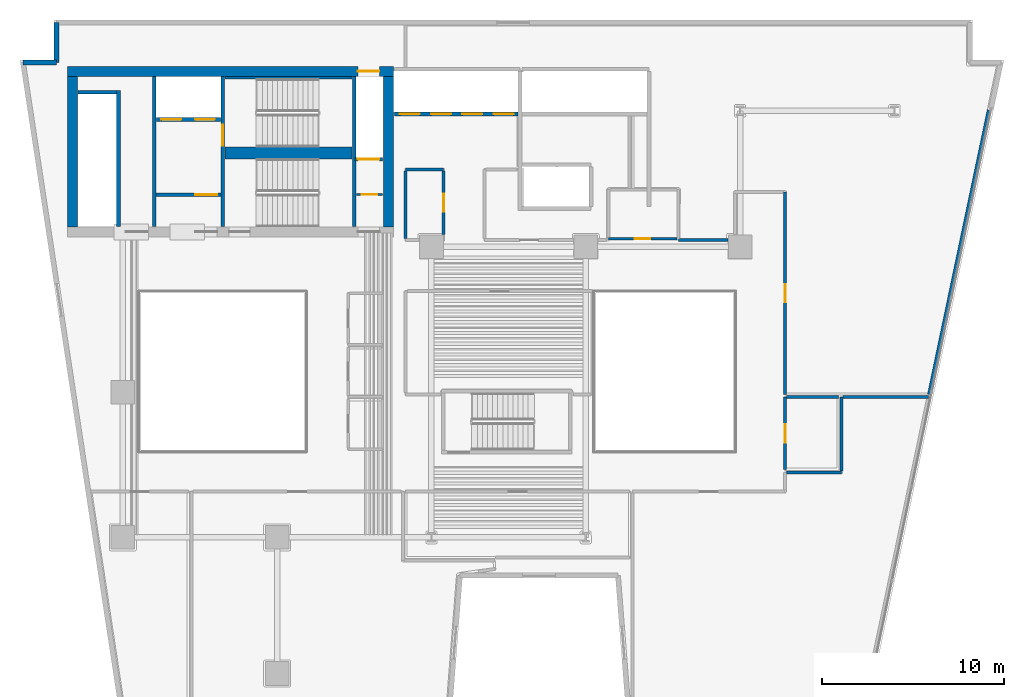
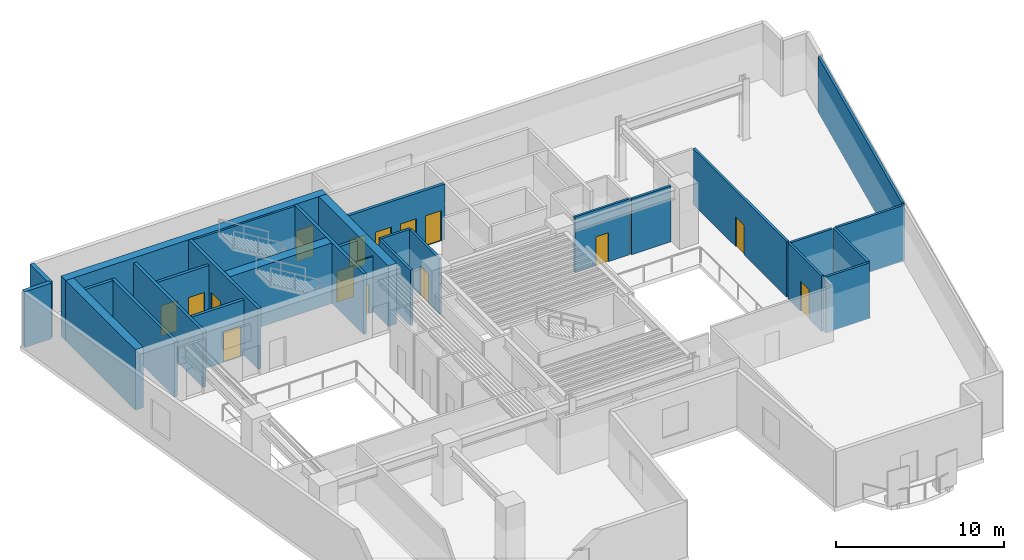
# One storey, part 5 of 11: 29 walls, 15 doors, 15 openings.
"""IFC4 building model written with IfcOpenShell, lengths in metres."""

from ifc_helpers import new_model, si_unit, direction, frame, frame_2d, origin, place, context, subcontext, project, spatial, rectangle, extrude, material, layer, layer_set, type_object, element, fill, save


model = new_model("IFC4")

# Units and contexts
model_context = context("Model", 3, precision=1e-05, world=origin(), true_north=direction((0.0, 1.0)))
body_context = subcontext(model_context, "Body", "Model", "MODEL_VIEW")
ifc_project = project(units=[si_unit("LENGTHUNIT", "METRE"), si_unit("AREAUNIT", "SQUARE_METRE"), si_unit("VOLUMEUNIT", "CUBIC_METRE"), si_unit("PLANEANGLEUNIT", "RADIAN"), si_unit("MASSUNIT", "GRAM", prefix="KILO")], contexts=[model_context])

# Site, building, storey
site_placement = place(None, origin())
site = spatial("IfcSite", under=ifc_project, at=site_placement, CompositionType="ELEMENT")
building_placement = place(site_placement, origin())
building = spatial("IfcBuilding", under=site, at=building_placement, Name="Caeloran Harvest Quay", CompositionType="ELEMENT")
storey_placement = place(building_placement, frame((0.0, 0.0, 101.800048828125)))
storey = spatial("IfcBuildingStorey", under=building, at=storey_placement, Name="L23", CompositionType="ELEMENT", Elevation=101.800048828125)

# Walls
ifc_material_1 = material(Name="Precast concrete C50/60", Category="concrete")
ifc_layer_1 = layer(ifc_material_1, 0.280029296875, Name="Precast concrete C50/60")
ifc_layer_set_1 = layer_set([ifc_layer_1], Name="Precast concrete C50/60")
wall_type_1 = type_object("IfcWallType", Name="ENV-WALL-EW-280", PredefinedType="STANDARD", material=ifc_layer_set_1)
wall_1_placement = place(storey_placement, frame((2.99755859375, 41.159912109375, 0.0), z_axis=(0.0, 0.0, 1.0), x_axis=(1.0, 0.0, 0.0)))
element("IfcWall", 1, at=wall_1_placement, inside=storey, type_object=wall_type_1, Name="L23 Exterior Precast Concrete Facade Wall 4", PredefinedType="STANDARD", context=body_context, shape_type="SweptSolid", body=[
    extrude(rectangle(XDim=1.842529296875, YDim=0.280029296875, at=frame_2d((0.92138671875, 0.0))), origin(), (0.0, 0.0, 1.0), 4.050048828125),
])
wall_2_placement = place(storey_placement, frame((4.840087890625, 41.159912109375, 0.0), z_axis=(0.0, 0.0, 1.0), x_axis=(0.0, 1.0, 0.0)))
element("IfcWall", 2, at=wall_2_placement, inside=storey, type_object=wall_type_1, Name="L23 Exterior Precast Concrete Facade Wall 5", PredefinedType="STANDARD", context=body_context, shape_type="SweptSolid", body=[
    extrude(rectangle(XDim=2.2001953125, YDim=0.280029296875, at=frame_2d((1.10009765625, 0.0))), origin(), (0.0, 0.0, 1.0), 4.050048828125),
])

# Wall, opening, door
ifc_material_2 = material(Name="Fire-Resisting Gypsum Core Riser Partition", Category="gypsum")
ifc_layer_2 = layer(ifc_material_2, 0.10009765625, Name="Fire-Resisting Gypsum Core Riser Partition")
ifc_layer_set_2 = layer_set([ifc_layer_2], Name="Fire-Resisting Gypsum Core Riser Partition")
wall_type_2 = type_object("IfcWallType", Name="INT-WALL-PW-100", PredefinedType="PARTITIONING", material=ifc_layer_set_2)
wall_3_placement = place(storey_placement, frame((21.3798828125, 33.889892578125, 0.0), z_axis=(0.0, 0.0, 1.0), x_axis=(1.0, 0.0, 0.0)))
wall_3 = element("IfcWall", 3, at=wall_3_placement, inside=storey, type_object=wall_type_2, Name="L23 Cleaner Store Partition Wall", PredefinedType="PARTITIONING", context=body_context, shape_type="SweptSolid", body=[
    extrude(rectangle(XDim=1.420166015625, YDim=0.10009765625, at=frame_2d((0.7099609375, 0.0))), origin(), (0.0, 0.0, 1.0), 4.050048828125),
])
opening_1_placement = place(wall_3_placement, frame((0.280029296875, 0.0, 0.0)))
opening_1 = element("IfcOpeningElement", 4, at=opening_1_placement, cuts=wall_3, Name="Opening SV-01", PredefinedType="OPENING", context=body_context, shape_type="SweptSolid", body=[
    extrude(rectangle(XDim=0.85009765625, YDim=2.10009765625, at=frame_2d((0.425048828125, 1.050048828125))), frame((0.0, 0.06005859375, 0.0), z_axis=(0.0, -1.0, 0.0), x_axis=(1.0, 0.0, 0.0)), (0.0, 0.0, 1.0), 0.1201171875),
])
ifc_material_3 = material(Name="Galvanized Painted Steel", Category="steel")
door_type_1 = type_object("IfcDoorType", Name="INTDOOR-SV-01", OperationType="NOTDEFINED", PredefinedType="DOOR", material=ifc_material_3)
door_1_placement = place(opening_1_placement, origin())
door_1 = element("IfcDoor", 5, at=door_1_placement, inside=storey, type_object=door_type_1, Name="L23 Cleaner Supply Store Access Door", OperationType="SINGLE_SWING_RIGHT", OverallHeight=2.10009765625, OverallWidth=0.85009765625, PredefinedType="DOOR", context=body_context, shape_type="SweptSolid", body=[
    extrude(rectangle(XDim=0.85009765625, YDim=2.10009765625, at=frame_2d((0.425048828125, 1.050048828125))), frame((0.0, 0.02490234375, 0.0), z_axis=(0.0, -1.0, 0.0), x_axis=(1.0, 0.0, 0.0)), (0.0, 0.0, 1.0), 0.050048828125),
])
fill(opening_1, door_1)

ifc_material_4 = material(Name="Autoclaved Aerated Concrete Blockwork and Plasterboard", Category="masonry")
ifc_layer_3 = layer(ifc_material_4, 0.14990234375, Name="Autoclaved Aerated Concrete Blockwork and Plasterboard")
ifc_layer_set_3 = layer_set([ifc_layer_3], Name="Autoclaved Aerated Concrete Blockwork and Plasterboard")
wall_type_3 = type_object("IfcWallType", Name="INT-WALL-PW-150", PredefinedType="PARTITIONING", material=ifc_layer_set_3)
wall_4_placement = place(storey_placement, frame((39.02001953125, 31.449951171875, 0.0), z_axis=(0.0, 0.0, 1.0), x_axis=(-1.0, 0.0, 0.0)))
wall_4 = element("IfcWall", 6, at=wall_4_placement, inside=storey, type_object=wall_type_3, Name="L23 Core Auxiliary Equipment Room Partition Wall", PredefinedType="PARTITIONING", context=body_context, shape_type="SweptSolid", body=[
    extrude(rectangle(XDim=3.77001953125, YDim=0.14990234375, at=frame_2d((1.885009765625, 0.0))), origin(), (0.0, 0.0, 1.0), 4.050048828125),
])
opening_2_placement = place(wall_4_placement, frame((1.4599609375, 0.0, 0.0)))
opening_2 = element("IfcOpeningElement", 7, at=opening_2_placement, cuts=wall_4, Name="Opening SV-01", PredefinedType="OPENING", context=body_context, shape_type="SweptSolid", body=[
    extrude(rectangle(XDim=0.85009765625, YDim=2.10009765625, at=frame_2d((0.425048828125, 1.050048828125))), frame((0.0, 0.0849609375, 0.0), z_axis=(0.0, -1.0, 0.0), x_axis=(1.0, 0.0, 0.0)), (0.0, 0.0, 1.0), 0.169921875),
])
door_2_placement = place(opening_2_placement, origin())
door_2 = element("IfcDoor", 8, at=door_2_placement, inside=storey, type_object=door_type_1, Name="L23 Core Auxiliary Equipment Room Access Door", OperationType="SINGLE_SWING_RIGHT", OverallHeight=2.10009765625, OverallWidth=0.85009765625, PredefinedType="DOOR", context=body_context, shape_type="SweptSolid", body=[
    extrude(rectangle(XDim=0.85009765625, YDim=2.10009765625, at=frame_2d((0.425048828125, 1.050048828125))), frame((0.0, 0.02490234375, 0.0), z_axis=(0.0, -1.0, 0.0), x_axis=(1.0, 0.0, 0.0)), (0.0, 0.0, 1.0), 0.050048828125),
])
fill(opening_2, door_2)

# Walls
ifc_material_5 = material(Name="Autoclaved Aerated Concrete Blockwork", Category="masonry")
ifc_layer_4 = layer(ifc_material_5, 0.1650390625, Name="Autoclaved Aerated Concrete Blockwork")
ifc_layer_set_4 = layer_set([ifc_layer_4], Name="Autoclaved Aerated Concrete Blockwork")
wall_type_4 = type_object("IfcWallType", Name="INT-WALL-PW-165", PredefinedType="PARTITIONING", material=ifc_layer_set_4)
wall_5_placement = place(storey_placement, frame((45.0673828125, 18.570068359375, 0.0), z_axis=(0.0, 0.0, 1.0), x_axis=(1.0, 0.0, 0.0)))
element("IfcWall", 9, at=wall_5_placement, inside=storey, type_object=wall_type_4, Name="Biophilic Architecture Atelier Partition Wall", PredefinedType="PARTITIONING", context=body_context, shape_type="SweptSolid", body=[
    extrude(rectangle(XDim=3.0126953125, YDim=0.1650390625, at=frame_2d((1.50634765625, 0.0))), origin(), (0.0, 0.0, 1.0), 4.050048828125),
])
wall_6_placement = place(storey_placement, frame((48.080078125, 18.657470703125, 0.0), z_axis=(0.0, 0.0, 1.0), x_axis=(0.0, 1.0, 0.0)))
element("IfcWall", 10, at=wall_6_placement, inside=storey, type_object=wall_type_4, Name="Biophilic Architecture Atelier Partition Wall", PredefinedType="PARTITIONING", context=body_context, shape_type="SweptSolid", body=[
    extrude(rectangle(XDim=4.0625, YDim=0.1650390625, at=frame_2d((2.03125, 0.0))), origin(), (0.0, 0.0, 1.0), 4.050048828125),
])
wall_7_placement = place(storey_placement, frame((48.16748046875, 22.719970703125, 0.0), z_axis=(0.0, 0.0, 1.0), x_axis=(1.0, 0.0, 0.0)))
element("IfcWall", 11, at=wall_7_placement, inside=storey, type_object=wall_type_4, Name="Biophilic Architecture Atelier Partition Wall", PredefinedType="PARTITIONING", context=body_context, shape_type="SweptSolid", body=[
    extrude(rectangle(XDim=4.716796875, YDim=0.1650390625, at=frame_2d((2.3583984375, 0.0))), origin(), (0.0, 0.0, 1.0), 4.050048828125),
])

# Wall, opening, door
wall_8_placement = place(storey_placement, frame((44.97998046875, 18.72998046875, 0.0), z_axis=(0.0, 0.0, 1.0), x_axis=(0.0, 1.0, 0.0)))
wall_8 = element("IfcWall", 12, at=wall_8_placement, inside=storey, type_object=wall_type_4, Name="Principal Partner Office Partition Wall", PredefinedType="PARTITIONING", context=body_context, shape_type="SweptSolid", body=[
    extrude(rectangle(XDim=3.989990234375, YDim=0.1650390625, at=frame_2d((1.9951171875, 0.0))), origin(), (0.0, 0.0, 1.0), 4.050048828125),
])
opening_3_placement = place(wall_8_placement, frame((1.4951171875, 0.0, 0.0)))
opening_3 = element("IfcOpeningElement", 13, at=opening_3_placement, cuts=wall_8, Name="Opening ID-01", PredefinedType="OPENING", context=body_context, shape_type="SweptSolid", body=[
    extrude(rectangle(XDim=1.0, YDim=2.14990234375, at=frame_2d((0.5, 1.074951171875))), frame((0.0, 0.092529296875, 0.0), z_axis=(0.0, -1.0, 0.0), x_axis=(1.0, 0.0, 0.0)), (0.0, 0.0, 1.0), 0.18505859375),
])
ifc_material_6 = material(Name="FSC Solid-Core Ash Timber and Acoustic Seal", Category="wood")
door_type_2 = type_object("IfcDoorType", Name="INTDOOR-ID-01", OperationType="NOTDEFINED", PredefinedType="DOOR", material=ifc_material_6)
door_3_placement = place(opening_3_placement, origin())
door_3 = element("IfcDoor", 14, at=door_3_placement, inside=storey, type_object=door_type_2, Name="Principal Partner Office Access Door", OperationType="SINGLE_SWING_RIGHT", OverallHeight=2.14990234375, OverallWidth=1.0, PredefinedType="DOOR", context=body_context, shape_type="SweptSolid", body=[
    extrude(rectangle(XDim=1.0, YDim=2.14990234375, at=frame_2d((0.5, 1.074951171875))), frame((0.0, 0.02490234375, 0.0), z_axis=(0.0, -1.0, 0.0), x_axis=(1.0, 0.0, 0.0)), (0.0, 0.0, 1.0), 0.050048828125),
])
fill(opening_3, door_3)

# Walls
wall_9_placement = place(storey_placement, frame((45.0673828125, 22.719970703125, 0.0), z_axis=(0.0, 0.0, 1.0), x_axis=(1.0, 0.0, 0.0)))
element("IfcWall", 15, at=wall_9_placement, inside=storey, type_object=wall_type_4, Name="Principal Partner Office Partition Wall", PredefinedType="PARTITIONING", context=body_context, shape_type="SweptSolid", body=[
    extrude(rectangle(XDim=2.8525390625, YDim=0.1650390625, at=frame_2d((1.42626953125, 0.0))), origin(), (0.0, 0.0, 1.0), 4.050048828125),
])
wall_10_placement = place(storey_placement, frame((24.080078125, 35.27001953125, 0.0), z_axis=(0.0, 0.0, 1.0), x_axis=(1.0, 0.0, 0.0)))
element("IfcWall", 16, at=wall_10_placement, inside=storey, type_object=wall_type_4, Name="Partner Boardroom Partition Wall", PredefinedType="PARTITIONING", context=body_context, shape_type="SweptSolid", body=[
    extrude(rectangle(XDim=2.08984375, YDim=0.1650390625, at=frame_2d((1.044921875, 0.0))), origin(), (0.0, 0.0, 1.0), 4.050048828125),
])

# Wall, opening, door
wall_11_placement = place(storey_placement, frame((26.169921875, 35.1826171875, 0.0), z_axis=(0.0, 0.0, 1.0), x_axis=(0.0, -1.0, 0.0)))
wall_11 = element("IfcWall", 17, at=wall_11_placement, inside=storey, type_object=wall_type_4, Name="Partner Boardroom Partition Wall", PredefinedType="PARTITIONING", context=body_context, shape_type="SweptSolid", body=[
    extrude(rectangle(XDim=3.507568359375, YDim=0.1650390625, at=frame_2d((1.75390625, 0.0))), origin(), (0.0, 0.0, 1.0), 4.050048828125),
])
opening_4_placement = place(wall_11_placement, frame((1.253662109375, 0.0, 0.0)))
opening_4 = element("IfcOpeningElement", 18, at=opening_4_placement, cuts=wall_11, Name="Opening ID-01", PredefinedType="OPENING", context=body_context, shape_type="SweptSolid", body=[
    extrude(rectangle(XDim=1.0, YDim=2.14990234375, at=frame_2d((0.5, 1.074951171875))), frame((0.0, 0.092529296875, 0.0), z_axis=(0.0, -1.0, 0.0), x_axis=(1.0, 0.0, 0.0)), (0.0, 0.0, 1.0), 0.18505859375),
])
door_4_placement = place(opening_4_placement, origin())
door_4 = element("IfcDoor", 19, at=door_4_placement, inside=storey, type_object=door_type_2, Name="Partner Boardroom Access Door", OperationType="SINGLE_SWING_RIGHT", OverallHeight=2.14990234375, OverallWidth=1.0, PredefinedType="DOOR", context=body_context, shape_type="SweptSolid", body=[
    extrude(rectangle(XDim=1.0, YDim=2.14990234375, at=frame_2d((0.5, 1.074951171875))), frame((0.0, 0.02490234375, 0.0), z_axis=(0.0, -1.0, 0.0), x_axis=(1.0, 0.0, 0.0)), (0.0, 0.0, 1.0), 0.050048828125),
])
fill(opening_4, door_4)

# Walls
wall_12_placement = place(storey_placement, frame((24.080078125, 31.467529296875, 0.0), z_axis=(0.0, 0.0, 1.0), x_axis=(0.0, 1.0, 0.0)))
element("IfcWall", 20, at=wall_12_placement, inside=storey, type_object=wall_type_4, Name="Partner Boardroom Partition Wall", PredefinedType="PARTITIONING", context=body_context, shape_type="SweptSolid", body=[
    extrude(rectangle(XDim=3.715087890625, YDim=0.1650390625, at=frame_2d((1.857421875, 0.0))), origin(), (0.0, 0.0, 1.0), 4.050048828125),
])
wall_13_placement = place(storey_placement, frame((56.1943359375, 38.547607421875, 0.0), z_axis=(0.0, 0.0, 1.0), x_axis=(-0.205579307071, -0.978640459262, 0.0)))
element("IfcWall", 21, at=wall_13_placement, inside=storey, type_object=wall_type_4, Name="Regional Food Policy Boardroom 9 Partition Wall", PredefinedType="PARTITIONING", context=body_context, shape_type="SweptSolid", body=[
    extrude(rectangle(XDim=16.009765625, YDim=0.1650390625, at=frame_2d((8.0048828125, 0.0))), origin(), (0.0, 0.0, 1.0), 4.050048828125),
])

# Wall, opening, door
wall_14_placement = place(storey_placement, frame((44.97998046875, 22.8798828125, 0.0), z_axis=(0.0, 0.0, 1.0), x_axis=(0.0, 1.0, 0.0)))
wall_14 = element("IfcWall", 22, at=wall_14_placement, inside=storey, type_object=wall_type_4, Name="Regional Food Policy Boardroom 9 Partition Wall", PredefinedType="PARTITIONING", context=body_context, shape_type="SweptSolid", body=[
    extrude(rectangle(XDim=11.150146484375, YDim=0.1650390625, at=frame_2d((5.5751953125, 0.0))), origin(), (0.0, 0.0, 1.0), 4.050048828125),
])
opening_5_placement = place(wall_14_placement, frame((5.074951171875, 0.0, 0.0)))
opening_5 = element("IfcOpeningElement", 23, at=opening_5_placement, cuts=wall_14, Name="Opening ID-01", PredefinedType="OPENING", context=body_context, shape_type="SweptSolid", body=[
    extrude(rectangle(XDim=1.0, YDim=2.14990234375, at=frame_2d((0.5, 1.074951171875))), frame((0.0, 0.092529296875, 0.0), z_axis=(0.0, -1.0, 0.0), x_axis=(1.0, 0.0, 0.0)), (0.0, 0.0, 1.0), 0.18505859375),
])
door_5_placement = place(opening_5_placement, origin())
door_5 = element("IfcDoor", 24, at=door_5_placement, inside=storey, type_object=door_type_2, Name="Regional Food Policy Boardroom 9 Access Door", OperationType="SINGLE_SWING_RIGHT", OverallHeight=2.14990234375, OverallWidth=1.0, PredefinedType="DOOR", context=body_context, shape_type="SweptSolid", body=[
    extrude(rectangle(XDim=1.0, YDim=2.14990234375, at=frame_2d((0.5, 1.074951171875))), frame((0.0, 0.02490234375, 0.0), z_axis=(0.0, -1.0, 0.0), x_axis=(1.0, 0.0, 0.0)), (0.0, 0.0, 1.0), 0.050048828125),
])
fill(opening_5, door_5)

# Walls
wall_15_placement = place(storey_placement, frame((41.824951171875, 31.3798828125, 0.0), z_axis=(0.0, 0.0, 1.0), x_axis=(-1.0, 0.0, 0.0)))
element("IfcWall", 25, at=wall_15_placement, inside=storey, type_object=wall_type_4, Name="Regional Food Policy Boardroom 9 Partition Wall", PredefinedType="PARTITIONING", context=body_context, shape_type="SweptSolid", body=[
    extrude(rectangle(XDim=2.71044921875, YDim=0.1650390625, at=frame_2d((1.355224609375, 0.0))), origin(), (0.0, 0.0, 1.0), 4.050048828125),
])
ifc_material_7 = material(Name="Concrete C50/60", Category="concrete")
ifc_layer_5 = layer(ifc_material_7, 0.199951171875, Name="Concrete C50/60")
ifc_layer_set_5 = layer_set([ifc_layer_5], Name="Concrete C50/60")
wall_type_5 = type_object("IfcWallType", Name="INT-WALL-SW-200", PredefinedType="PARTITIONING", material=ifc_layer_set_5)
wall_16_placement = place(storey_placement, frame((8.260009765625, 32.1201171875, 0.0), z_axis=(0.0, 0.0, 1.0), x_axis=(0.0, 1.0, 0.0)))
element("IfcWall", 26, at=wall_16_placement, inside=storey, type_object=wall_type_5, Name="L23 Bank 3 Lift Shaft Wall", PredefinedType="PARTITIONING", context=body_context, shape_type="SweptSolid", body=[
    extrude(rectangle(XDim=7.5, YDim=0.199951171875, at=frame_2d((3.75, 0.0))), origin(), (0.0, 0.0, 1.0), 4.050048828125),
])
wall_17_placement = place(storey_placement, frame((6.02001953125, 39.52001953125, 0.0), z_axis=(0.0, 0.0, 1.0), x_axis=(1.0, 0.0, 0.0)))
element("IfcWall", 27, at=wall_17_placement, inside=storey, type_object=wall_type_5, Name="L23 Bank 3 Lift Shaft North End Wall", PredefinedType="PARTITIONING", context=body_context, shape_type="SweptSolid", body=[
    extrude(rectangle(XDim=2.119873046875, YDim=0.199951171875, at=frame_2d((1.06005859375, 0.0))), origin(), (0.0, 0.0, 1.0), 4.050048828125),
])
wall_18_placement = place(storey_placement, frame((10.219970703125, 32.1201171875, 0.0), z_axis=(0.0, 0.0, 1.0), x_axis=(0.0, 1.0, 0.0)))
element("IfcWall", 28, at=wall_18_placement, inside=storey, type_object=wall_type_5, Name="L23 Core Lobby Compartment Wall", PredefinedType="PARTITIONING", context=body_context, shape_type="SweptSolid", body=[
    extrude(rectangle(XDim=8.259765625, YDim=0.199951171875, at=frame_2d((4.1298828125, 0.0))), origin(), (0.0, 0.0, 1.0), 4.050048828125),
])

# Wall, openings, doors
wall_19_placement = place(storey_placement, frame((10.340087890625, 38.02001953125, 0.0), z_axis=(0.0, 0.0, 1.0), x_axis=(1.0, 0.0, 0.0)))
wall_19 = element("IfcWall", 29, at=wall_19_placement, inside=storey, type_object=wall_type_5, Name="L23 Firefighting Lift Shaft Wall", PredefinedType="PARTITIONING", context=body_context, shape_type="SweptSolid", body=[
    extrude(rectangle(XDim=3.539794921875, YDim=0.199951171875, at=frame_2d((1.77001953125, 0.0))), origin(), (0.0, 0.0, 1.0), 4.050048828125),
])
opening_6_placement = place(wall_19_placement, frame((0.284912109375, 0.0, 0.0)))
opening_6 = element("IfcOpeningElement", 30, at=opening_6_placement, cuts=wall_19, Name="Opening LD-01", PredefinedType="OPENING", context=body_context, shape_type="SweptSolid", body=[
    extrude(rectangle(XDim=1.10009765625, YDim=2.199951171875, at=frame_2d((0.550048828125, 1.10009765625))), frame((0.0, 0.10986328125, 0.0), z_axis=(0.0, -1.0, 0.0), x_axis=(1.0, 0.0, 0.0)), (0.0, 0.0, 1.0), 0.219970703125),
])
opening_7_placement = place(wall_19_placement, frame((2.135009765625, 0.0, 0.0)))
opening_7 = element("IfcOpeningElement", 31, at=opening_7_placement, cuts=wall_19, Name="Opening LD-01", PredefinedType="OPENING", context=body_context, shape_type="SweptSolid", body=[
    extrude(rectangle(XDim=1.10009765625, YDim=2.199951171875, at=frame_2d((0.550048828125, 1.10009765625))), frame((0.0, 0.10986328125, 0.0), z_axis=(0.0, -1.0, 0.0), x_axis=(1.0, 0.0, 0.0)), (0.0, 0.0, 1.0), 0.219970703125),
])
ifc_material_8 = material(Name="Stainless Steel Grade 316", Category="steel")
door_type_3 = type_object("IfcDoorType", Name="INTDOOR-LD-01", OperationType="NOTDEFINED", PredefinedType="DOOR", material=ifc_material_8)
door_6_placement = place(opening_6_placement, origin())
door_6 = element("IfcDoor", 32, at=door_6_placement, inside=storey, type_object=door_type_3, Name="Lift FF-1 Sliding Landing Door (L23)", OperationType="DOUBLE_DOOR_SLIDING", OverallHeight=2.199951171875, OverallWidth=1.10009765625, PredefinedType="DOOR", context=body_context, shape_type="SweptSolid", body=[
    extrude(rectangle(XDim=1.10009765625, YDim=2.199951171875, at=frame_2d((0.550048828125, 1.10009765625))), frame((0.0, 0.02490234375, 0.0), z_axis=(0.0, -1.0, 0.0), x_axis=(1.0, 0.0, 0.0)), (0.0, 0.0, 1.0), 0.050048828125),
])
fill(opening_6, door_6)
door_7_placement = place(opening_7_placement, origin())
door_7 = element("IfcDoor", 33, at=door_7_placement, inside=storey, type_object=door_type_3, Name="Lift FF-2 Sliding Landing Door (L23)", OperationType="DOUBLE_DOOR_SLIDING", OverallHeight=2.199951171875, OverallWidth=1.10009765625, PredefinedType="DOOR", context=body_context, shape_type="SweptSolid", body=[
    extrude(rectangle(XDim=1.10009765625, YDim=2.199951171875, at=frame_2d((0.550048828125, 1.10009765625))), frame((0.0, 0.02490234375, 0.0), z_axis=(0.0, -1.0, 0.0), x_axis=(1.0, 0.0, 0.0)), (0.0, 0.0, 1.0), 0.050048828125),
])
fill(opening_7, door_7)

# Wall, opening, door
wall_20_placement = place(storey_placement, frame((10.340087890625, 33.8798828125, 0.0), z_axis=(0.0, 0.0, 1.0), x_axis=(1.0, 0.0, 0.0)))
wall_20 = element("IfcWall", 34, at=wall_20_placement, inside=storey, type_object=wall_type_5, Name="L23 Firefighting Lift Lobby Enclosure Wall", PredefinedType="PARTITIONING", context=body_context, shape_type="SweptSolid", body=[
    extrude(rectangle(XDim=3.559814453125, YDim=0.199951171875, at=frame_2d((1.77978515625, 0.0))), origin(), (0.0, 0.0, 1.0), 4.050048828125),
])
opening_8_placement = place(wall_20_placement, frame((2.14990234375, 0.0, 0.0)))
opening_8 = element("IfcOpeningElement", 35, at=opening_8_placement, cuts=wall_20, Name="Opening FD-01", PredefinedType="OPENING", context=body_context, shape_type="SweptSolid", body=[
    extrude(rectangle(XDim=1.199951171875, YDim=2.199951171875, at=frame_2d((0.60009765625, 1.10009765625))), frame((0.0, 0.10986328125, 0.0), z_axis=(0.0, -1.0, 0.0), x_axis=(1.0, 0.0, 0.0)), (0.0, 0.0, 1.0), 0.219970703125),
])
ifc_material_9 = material(Name="Steel", Category="steel")
door_type_4 = type_object("IfcDoorType", Name="INTDOOR-FD-01", OperationType="NOTDEFINED", PredefinedType="DOOR", material=ifc_material_9)
door_8_placement = place(opening_8_placement, origin())
door_8 = element("IfcDoor", 36, at=door_8_placement, inside=storey, type_object=door_type_4, Name="L23 Firefighting Lift Lobby Smoke-Seal Fire Door", OperationType="SINGLE_SWING_RIGHT", OverallHeight=2.199951171875, OverallWidth=1.199951171875, PredefinedType="DOOR", context=body_context, shape_type="SweptSolid", body=[
    extrude(rectangle(XDim=1.199951171875, YDim=2.199951171875, at=frame_2d((0.60009765625, 1.10009765625))), frame((0.0, 0.02490234375, 0.0), z_axis=(0.0, -1.0, 0.0), x_axis=(1.0, 0.0, 0.0)), (0.0, 0.0, 1.0), 0.050048828125),
])
fill(opening_8, door_8)

wall_21_placement = place(storey_placement, frame((21.300048828125, 35.820068359375, 0.0), z_axis=(0.0, 0.0, 1.0), x_axis=(1.0, 0.0, 0.0)))
wall_21 = element("IfcWall", 37, at=wall_21_placement, inside=storey, type_object=wall_type_5, Name="L23 Service Lift SV-2 Shaft Wall", PredefinedType="PARTITIONING", context=body_context, shape_type="SweptSolid", body=[
    extrude(rectangle(XDim=1.5, YDim=0.199951171875, at=frame_2d((0.75, 0.0))), origin(), (0.0, 0.0, 1.0), 4.050048828125),
])
opening_9_placement = place(wall_21_placement, frame((0.14501953125, 0.0, 0.0)))
opening_9 = element("IfcOpeningElement", 38, at=opening_9_placement, cuts=wall_21, Name="Opening LD-02", PredefinedType="OPENING", context=body_context, shape_type="SweptSolid", body=[
    extrude(rectangle(XDim=1.179931640625, YDim=2.25, at=frame_2d((0.58984375, 1.125))), frame((0.0, 0.10986328125, 0.0), z_axis=(0.0, -1.0, 0.0), x_axis=(1.0, 0.0, 0.0)), (0.0, 0.0, 1.0), 0.219970703125),
])
door_type_5 = type_object("IfcDoorType", Name="INTDOOR-LD-02", OperationType="NOTDEFINED", PredefinedType="DOOR", material=ifc_material_8)
door_9_placement = place(opening_9_placement, origin())
door_9 = element("IfcDoor", 39, at=door_9_placement, inside=storey, type_object=door_type_5, Name="Lift SV-2 Sliding Landing Door (L23)", OperationType="DOUBLE_DOOR_SLIDING", OverallHeight=2.25, OverallWidth=1.179931640625, PredefinedType="DOOR", context=body_context, shape_type="SweptSolid", body=[
    extrude(rectangle(XDim=1.179931640625, YDim=2.25, at=frame_2d((0.58984375, 1.125))), frame((0.0, 0.02490234375, 0.0), z_axis=(0.0, -1.0, 0.0), x_axis=(1.0, 0.0, 0.0)), (0.0, 0.0, 1.0), 0.050048828125),
])
fill(opening_9, door_9)

# Wall, openings, doors
wall_22_placement = place(storey_placement, frame((23.469970703125, 38.320068359375, 0.0), z_axis=(0.0, 0.0, 1.0), x_axis=(1.0, 0.0, 0.0)))
wall_22 = element("IfcWall", 40, at=wall_22_placement, inside=storey, type_object=wall_type_5, Name="L23 Bank 1 Lift Landing Front Wall", PredefinedType="PARTITIONING", context=body_context, shape_type="SweptSolid", body=[
    extrude(rectangle(XDim=6.7900390625, YDim=0.199951171875, at=frame_2d((3.39501953125, 0.0))), origin(), (0.0, 0.0, 1.0), 4.050048828125),
])
opening_10_placement = place(wall_22_placement, frame((0.2900390625, 0.0, 0.0)))
opening_10 = element("IfcOpeningElement", 41, at=opening_10_placement, cuts=wall_22, Name="Opening LD-01", PredefinedType="OPENING", context=body_context, shape_type="SweptSolid", body=[
    extrude(rectangle(XDim=1.10009765625, YDim=2.199951171875, at=frame_2d((0.550048828125, 1.10009765625))), frame((0.0, 0.10986328125, 0.0), z_axis=(0.0, -1.0, 0.0), x_axis=(1.0, 0.0, 0.0)), (0.0, 0.0, 1.0), 0.219970703125),
])
opening_11_placement = place(wall_22_placement, frame((2.010009765625, 0.0, 0.0)))
opening_11 = element("IfcOpeningElement", 42, at=opening_11_placement, cuts=wall_22, Name="Opening LD-01", PredefinedType="OPENING", context=body_context, shape_type="SweptSolid", body=[
    extrude(rectangle(XDim=1.10009765625, YDim=2.199951171875, at=frame_2d((0.550048828125, 1.10009765625))), frame((0.0, 0.10986328125, 0.0), z_axis=(0.0, -1.0, 0.0), x_axis=(1.0, 0.0, 0.0)), (0.0, 0.0, 1.0), 0.219970703125),
])
opening_12_placement = place(wall_22_placement, frame((3.72998046875, 0.0, 0.0)))
opening_12 = element("IfcOpeningElement", 43, at=opening_12_placement, cuts=wall_22, Name="Opening LD-01", PredefinedType="OPENING", context=body_context, shape_type="SweptSolid", body=[
    extrude(rectangle(XDim=1.10009765625, YDim=2.199951171875, at=frame_2d((0.550048828125, 1.10009765625))), frame((0.0, 0.10986328125, 0.0), z_axis=(0.0, -1.0, 0.0), x_axis=(1.0, 0.0, 0.0)), (0.0, 0.0, 1.0), 0.219970703125),
])
opening_13_placement = place(wall_22_placement, frame((5.449951171875, 0.0, 0.0)))
opening_13 = element("IfcOpeningElement", 44, at=opening_13_placement, cuts=wall_22, Name="Opening LD-01", PredefinedType="OPENING", context=body_context, shape_type="SweptSolid", body=[
    extrude(rectangle(XDim=1.10009765625, YDim=2.199951171875, at=frame_2d((0.550048828125, 1.10009765625))), frame((0.0, 0.10986328125, 0.0), z_axis=(0.0, -1.0, 0.0), x_axis=(1.0, 0.0, 0.0)), (0.0, 0.0, 1.0), 0.219970703125),
])
door_10_placement = place(opening_10_placement, origin())
door_10 = element("IfcDoor", 45, at=door_10_placement, inside=storey, type_object=door_type_3, Name="Lift P1-1 Sliding Landing Door (L23)", OperationType="DOUBLE_DOOR_SLIDING", OverallHeight=2.199951171875, OverallWidth=1.10009765625, PredefinedType="DOOR", context=body_context, shape_type="SweptSolid", body=[
    extrude(rectangle(XDim=1.10009765625, YDim=2.199951171875, at=frame_2d((0.550048828125, 1.10009765625))), frame((0.0, 0.02490234375, 0.0), z_axis=(0.0, -1.0, 0.0), x_axis=(1.0, 0.0, 0.0)), (0.0, 0.0, 1.0), 0.050048828125),
])
fill(opening_10, door_10)
door_11_placement = place(opening_11_placement, origin())
door_11 = element("IfcDoor", 46, at=door_11_placement, inside=storey, type_object=door_type_3, Name="Lift P1-2 Sliding Landing Door (L23)", OperationType="DOUBLE_DOOR_SLIDING", OverallHeight=2.199951171875, OverallWidth=1.10009765625, PredefinedType="DOOR", context=body_context, shape_type="SweptSolid", body=[
    extrude(rectangle(XDim=1.10009765625, YDim=2.199951171875, at=frame_2d((0.550048828125, 1.10009765625))), frame((0.0, 0.02490234375, 0.0), z_axis=(0.0, -1.0, 0.0), x_axis=(1.0, 0.0, 0.0)), (0.0, 0.0, 1.0), 0.050048828125),
])
fill(opening_11, door_11)
door_12_placement = place(opening_12_placement, origin())
door_12 = element("IfcDoor", 47, at=door_12_placement, inside=storey, type_object=door_type_3, Name="Lift P1-3 Sliding Landing Door (L23)", OperationType="DOUBLE_DOOR_SLIDING", OverallHeight=2.199951171875, OverallWidth=1.10009765625, PredefinedType="DOOR", context=body_context, shape_type="SweptSolid", body=[
    extrude(rectangle(XDim=1.10009765625, YDim=2.199951171875, at=frame_2d((0.550048828125, 1.10009765625))), frame((0.0, 0.02490234375, 0.0), z_axis=(0.0, -1.0, 0.0), x_axis=(1.0, 0.0, 0.0)), (0.0, 0.0, 1.0), 0.050048828125),
])
fill(opening_12, door_12)
door_13_placement = place(opening_13_placement, origin())
door_13 = element("IfcDoor", 48, at=door_13_placement, inside=storey, type_object=door_type_3, Name="Lift P1-4 Sliding Landing Door (L23)", OperationType="DOUBLE_DOOR_SLIDING", OverallHeight=2.199951171875, OverallWidth=1.10009765625, PredefinedType="DOOR", context=body_context, shape_type="SweptSolid", body=[
    extrude(rectangle(XDim=1.10009765625, YDim=2.199951171875, at=frame_2d((0.550048828125, 1.10009765625))), frame((0.0, 0.02490234375, 0.0), z_axis=(0.0, -1.0, 0.0), x_axis=(1.0, 0.0, 0.0)), (0.0, 0.0, 1.0), 0.050048828125),
])
fill(opening_13, door_13)

# Wall, opening, door
ifc_material_10 = material(Name="Concrete C80/95", Category="concrete")
ifc_layer_6 = layer(ifc_material_10, 0.550048828125, Name="Concrete C80/95")
ifc_layer_set_6 = layer_set([ifc_layer_6], Name="Concrete C80/95")
wall_type_6 = type_object("IfcWallType", Name="STR-WALL-CW-550", PredefinedType="SHEAR", material=ifc_layer_set_6)
wall_23_placement = place(storey_placement, frame((5.449951171875, 40.675048828125, 0.0), z_axis=(0.0, 0.0, 1.0), x_axis=(1.0, 0.0, 0.0)))
wall_23 = element("IfcWall", 49, at=wall_23_placement, inside=storey, type_object=wall_type_6, Name="L23 Rear Core Shear Wall N", PredefinedType="SHEAR", context=body_context, shape_type="SweptSolid", body=[
    extrude(rectangle(XDim=17.949951171875, YDim=0.550048828125, at=frame_2d((8.97509765625, 0.0))), origin(), (0.0, 0.0, 1.0), 4.39990234375),
])
opening_14_placement = place(wall_23_placement, frame((15.9951171875, 0.0, 0.0)))
opening_14 = element("IfcOpeningElement", 50, at=opening_14_placement, cuts=wall_23, Name="Opening LD-02", PredefinedType="OPENING", context=body_context, shape_type="SweptSolid", body=[
    extrude(rectangle(XDim=1.179931640625, YDim=2.25, at=frame_2d((0.58984375, 1.125))), frame((0.0, 0.28515625, 0.0), z_axis=(0.0, -1.0, 0.0), x_axis=(1.0, 0.0, 0.0)), (0.0, 0.0, 1.0), 0.570068359375),
])
door_14_placement = place(opening_14_placement, origin())
door_14 = element("IfcDoor", 51, at=door_14_placement, inside=storey, type_object=door_type_5, Name="Lift SV-1 Sliding Landing Door (L23)", OperationType="DOUBLE_DOOR_SLIDING", OverallHeight=2.25, OverallWidth=1.179931640625, PredefinedType="DOOR", context=body_context, shape_type="SweptSolid", body=[
    extrude(rectangle(XDim=1.179931640625, YDim=2.25, at=frame_2d((0.58984375, 1.125))), frame((0.0, 0.02490234375, 0.0), z_axis=(0.0, -1.0, 0.0), x_axis=(1.0, 0.0, 0.0)), (0.0, 0.0, 1.0), 0.050048828125),
])
fill(opening_14, door_14)

# Walls
for number, where, z_axis, x_axis, name in (
    (52, (5.72509765625, 32.10009765625, 0.0), (0.0, 0.0, 1.0), (0.0, 1.0, 0.0), "L23 Rear Core Shear Wall W"),
    (53, (23.125, 32.10009765625, 0.0), (0.0, 0.0, 1.0), (0.0, 1.0, 0.0), "L23 Rear Core Shear Wall E"),
):
    element("IfcWall", number, at=place(storey_placement, frame(where, z_axis=z_axis, x_axis=x_axis)), inside=storey, type_object=wall_type_6, Name=name, PredefinedType="SHEAR", context=body_context, shape_type="SweptSolid", body=[
        extrude(rectangle(XDim=8.2998046875, YDim=0.550048828125, at=frame_2d((4.14990234375, 0.0))), origin(), (0.0, 0.0, 1.0), 4.39990234375),
    ])
ifc_material_11 = material(Name="Concrete C60/75", Category="concrete")
ifc_layer_7 = layer(ifc_material_11, 0.64990234375, Name="Concrete C60/75")
ifc_layer_set_7 = layer_set([ifc_layer_7], Name="Concrete C60/75")
wall_type_7 = type_object("IfcWallType", Name="STR-WALL-CW-650", PredefinedType="SHEAR", material=ifc_layer_set_7)
wall_24_placement = place(storey_placement, frame((14.1201171875, 36.175048828125, 0.0), z_axis=(0.0, 0.0, 1.0), x_axis=(1.0, 0.0, 0.0)))
element("IfcWall", 54, at=wall_24_placement, inside=storey, type_object=wall_type_7, Name="L23 Core Stairs Dividing Shear Wall", PredefinedType="SHEAR", context=body_context, shape_type="SweptSolid", body=[
    extrude(rectangle(XDim=7.009765625, YDim=0.64990234375, at=frame_2d((3.5048828125, 0.0))), origin(), (0.0, 0.0, 1.0), 4.39990234375),
])
ifc_layer_8 = layer(ifc_material_11, 0.139892578125, Name="Concrete C60/75")
ifc_layer_set_8 = layer_set([ifc_layer_8], Name="Concrete C60/75")
wall_type_8 = type_object("IfcWallType", Name="STR-WALL-SW-140", PredefinedType="SHEAR", material=ifc_layer_set_8)
wall_25_placement = place(storey_placement, frame((14.1201171875, 40.320068359375, 0.0), z_axis=(0.0, 0.0, 1.0), x_axis=(1.0, 0.0, 0.0)))
element("IfcWall", 55, at=wall_25_placement, inside=storey, type_object=wall_type_8, Name="L23 Core Stair ST-C1 North Bearing Shear Wall", PredefinedType="SHEAR", context=body_context, shape_type="SweptSolid", body=[
    extrude(rectangle(XDim=7.009765625, YDim=0.139892578125, at=frame_2d((3.5048828125, 0.0))), origin(), (0.0, 0.0, 1.0), 4.39990234375),
])

# Wall, opening, door
ifc_layer_9 = layer(ifc_material_11, 0.199951171875, Name="Concrete C60/75")
ifc_layer_set_9 = layer_set([ifc_layer_9], Name="Concrete C60/75")
wall_type_9 = type_object("IfcWallType", Name="STR-WALL-SW-200", PredefinedType="SHEAR", material=ifc_layer_set_9)
wall_26_placement = place(storey_placement, frame((14.0, 32.1201171875, 0.0), z_axis=(0.0, 0.0, 1.0), x_axis=(0.0, 1.0, 0.0)))
wall_26 = element("IfcWall", 56, at=wall_26_placement, inside=storey, type_object=wall_type_9, Name="L23 Core Stair Shaft West Shear Wall", PredefinedType="SHEAR", context=body_context, shape_type="SweptSolid", body=[
    extrude(rectangle(XDim=8.259765625, YDim=0.199951171875, at=frame_2d((4.1298828125, 0.0))), origin(), (0.0, 0.0, 1.0), 4.39990234375),
])
opening_15_placement = place(wall_26_placement, frame((4.4599609375, 0.0, 0.0)))
opening_15 = element("IfcOpeningElement", 57, at=opening_15_placement, cuts=wall_26, Name="Opening SD-01", PredefinedType="OPENING", context=body_context, shape_type="SweptSolid", body=[
    extrude(rectangle(XDim=1.14990234375, YDim=2.199951171875, at=frame_2d((0.574951171875, 1.10009765625))), frame((0.0, 0.10986328125, 0.0), z_axis=(0.0, -1.0, 0.0), x_axis=(1.0, 0.0, 0.0)), (0.0, 0.0, 1.0), 0.219970703125),
])
door_type_6 = type_object("IfcDoorType", Name="INTDOOR-SD-01", OperationType="NOTDEFINED", PredefinedType="DOOR", material=ifc_material_9)
door_15_placement = place(opening_15_placement, origin())
door_15 = element("IfcDoor", 58, at=door_15_placement, inside=storey, type_object=door_type_6, Name="L23 Protected Stair ST-C1 Exit Door", OperationType="SINGLE_SWING_LEFT", OverallHeight=2.199951171875, OverallWidth=1.14990234375, PredefinedType="DOOR", context=body_context, shape_type="SweptSolid", body=[
    extrude(rectangle(XDim=1.14990234375, YDim=2.199951171875, at=frame_2d((0.574951171875, 1.10009765625))), frame((0.0, 0.02490234375, 0.0), z_axis=(0.0, -1.0, 0.0), x_axis=(1.0, 0.0, 0.0)), (0.0, 0.0, 1.0), 0.050048828125),
])
fill(opening_15, door_15)

# Wall
wall_27_placement = place(storey_placement, frame((21.25, 32.1201171875, 0.0), z_axis=(0.0, 0.0, 1.0), x_axis=(0.0, 1.0, 0.0)))
element("IfcWall", 59, at=wall_27_placement, inside=storey, type_object=wall_type_9, Name="L23 Core Stair Shaft East Shear Wall", PredefinedType="SHEAR", context=body_context, shape_type="SweptSolid", body=[
    extrude(rectangle(XDim=8.259765625, YDim=0.199951171875, at=frame_2d((4.1298828125, 0.0))), origin(), (0.0, 0.0, 1.0), 4.39990234375),
])

save(model, "model.ifc")
